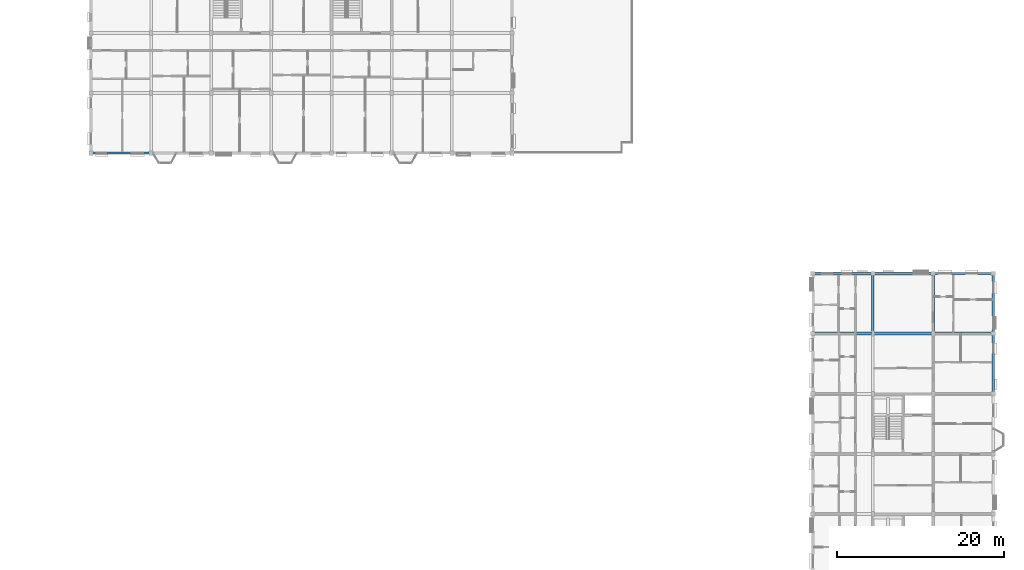
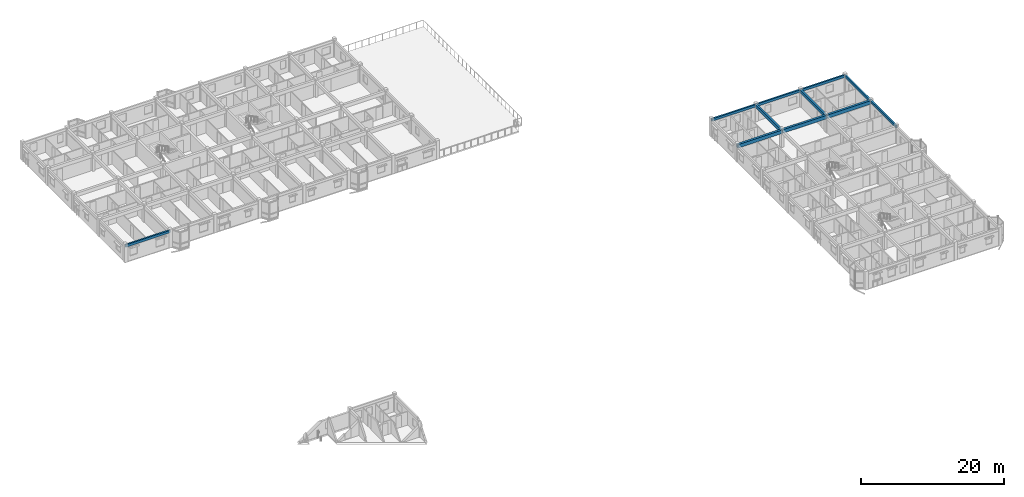
# One storey, part 21 of 64: 11 beams.
"""IFC4 building model written with IfcOpenShell, lengths in metres."""

from ifc_helpers import new_model, si_unit, direction, frame, origin, origin_2d, place, context, subcontext, project, spatial, rectangle, extrude, material, material_profile, profile_set, type_object, element, save


model = new_model("IFC4")

# Units and contexts
model_context = context("Model", 3, precision=1e-05, world=origin(), true_north=direction((0.0, 1.0)))
body_context = subcontext(model_context, "Body", "Model", "MODEL_VIEW")
ifc_project = project(units=[si_unit("LENGTHUNIT", "METRE"), si_unit("AREAUNIT", "SQUARE_METRE"), si_unit("VOLUMEUNIT", "CUBIC_METRE"), si_unit("PLANEANGLEUNIT", "RADIAN"), si_unit("MASSUNIT", "GRAM", prefix="KILO"), si_unit("THERMODYNAMICTEMPERATUREUNIT", "KELVIN"), si_unit("POWERUNIT", "WATT")], contexts=[model_context])

# Site, building, storey
site_placement = place(None, origin())
site = spatial("IfcSite", under=ifc_project, at=site_placement, CompositionType="ELEMENT")
building_placement = place(site_placement, origin())
building = spatial("IfcBuilding", under=site, at=building_placement, Name="Tavuni Mirador Residences", CompositionType="ELEMENT")
storey_placement = place(building_placement, frame((0.0, 0.0, 26.550048828125)))
storey = spatial("IfcBuildingStorey", under=building, at=storey_placement, Name="L08", CompositionType="ELEMENT", Elevation=26.550048828125)

# Beams
ifc_material = material(Name="Precast concrete C40/50", Category="concrete")
ifc_material_profile_1 = material_profile(ifc_material, rectangle(XDim=0.300048828125, YDim=0.550048828125, at=origin_2d()), Name="PC 300x550", Category="concrete")
ifc_profile_set_1 = profile_set([ifc_material_profile_1], Name="Precast concrete C40/50")
beam_type_1 = type_object("IfcBeamType", Name="BT-B550", PredefinedType="BEAM", material=ifc_profile_set_1)
for number, where, z_axis, x_axis, name in (
    (1, (104.39990234375, 122.39990234375, 2.614990234375), (0.0, 1.0, 0.0), (-1.0, 0.0, 0.0), "BMY-BLK-D-L08-01-05"),
    (2, (111.60009765625, 122.39990234375, 2.614990234375), (0.0, 1.0, 0.0), (-1.0, 0.0, 0.0), "BMY-BLK-D-L08-02-05"),
):
    element("IfcBeam", number, at=place(storey_placement, frame(where, z_axis=z_axis, x_axis=x_axis)), inside=storey, type_object=beam_type_1, Name=name, PredefinedType="BEAM", context=body_context, shape_type="SweptSolid", body=[
        extrude(rectangle(XDim=0.300048828125, YDim=0.550048828125, at=origin_2d()), origin(), (0.0, 0.0, 1.0), 7.2001953125),
    ])
ifc_material_profile_2 = material_profile(ifc_material, rectangle(XDim=0.35009765625, YDim=0.60009765625, at=origin_2d()), Name="PC 350x600", Category="concrete")
ifc_profile_set_2 = profile_set([ifc_material_profile_2], Name="Precast concrete C40/50")
beam_type_2 = type_object("IfcBeamType", Name="BT-B600", PredefinedType="BEAM", material=ifc_profile_set_2)
beam_1_placement = place(storey_placement, frame((97.199951171875, 122.39990234375, 2.58984375), z_axis=(1.0, 0.0, 0.0), x_axis=(0.0, 1.0, 0.0)))
element("IfcBeam", 3, at=beam_1_placement, inside=storey, type_object=beam_type_2, Name="BMX-BLK-D-L08-00-05", PredefinedType="BEAM", context=body_context, shape_type="SweptSolid", body=[
    extrude(rectangle(XDim=0.35009765625, YDim=0.60009765625, at=origin_2d()), origin(), (0.0, 0.0, 1.0), 7.199951171875),
])
beam_2_placement = place(storey_placement, frame((104.39990234375, 122.39990234375, 2.58984375), z_axis=(1.0, 0.0, 0.0), x_axis=(0.0, 1.0, 0.0)))
element("IfcBeam", 4, at=beam_2_placement, inside=storey, type_object=beam_type_2, Name="BMX-BLK-D-L08-01-05", PredefinedType="BEAM", context=body_context, shape_type="SweptSolid", body=[
    extrude(rectangle(XDim=0.35009765625, YDim=0.60009765625, at=origin_2d()), origin(), (0.0, 0.0, 1.0), 7.2001953125),
])
beam_3_placement = place(storey_placement, frame((111.60009765625, 122.39990234375, 2.58984375), z_axis=(1.0, 0.0, 0.0), x_axis=(0.0, 1.0, 0.0)))
element("IfcBeam", 5, at=beam_3_placement, inside=storey, type_object=beam_type_2, Name="BMX-BLK-D-L08-02-05", PredefinedType="BEAM", context=body_context, shape_type="SweptSolid", body=[
    extrude(rectangle(XDim=0.35009765625, YDim=0.60009765625, at=origin_2d()), origin(), (0.0, 0.0, 1.0), 7.199951171875),
])
ifc_material_profile_3 = material_profile(ifc_material, rectangle(XDim=0.25, YDim=0.419921875, at=origin_2d()), Name="PC 250x420", Category="concrete")
ifc_profile_set_3 = profile_set([ifc_material_profile_3], Name="Precast concrete C40/50")
beam_type_3 = type_object("IfcBeamType", Name="BT-SP420", PredefinedType="SPANDREL", material=ifc_profile_set_3)
for number, where, z_axis, x_axis, name in (
    (6, (10.800048828125, 144.0, 2.675048828125), (1.0, 0.0, 0.0), (0.0, 1.0, 0.0), "BMX-BLK-C-L08-00-00"),
    (7, (97.199951171875, 129.60009765625, 2.679931640625), (1.0, 0.0, 0.0), (0.0, 1.0, 0.0), "BMX-BLK-D-L08-00-06"),
):
    element("IfcBeam", number, at=place(storey_placement, frame(where, z_axis=z_axis, x_axis=x_axis)), inside=storey, type_object=beam_type_3, Name=name, PredefinedType="SPANDREL", context=body_context, shape_type="SweptSolid", body=[
        extrude(rectangle(XDim=0.25, YDim=0.419921875, at=origin_2d()), origin(), (0.0, 0.0, 1.0), 7.199951171875),
    ])
beam_4_placement = place(storey_placement, frame((104.39990234375, 129.60009765625, 2.679931640625), z_axis=(1.0, 0.0, 0.0), x_axis=(0.0, 1.0, 0.0)))
element("IfcBeam", 8, at=beam_4_placement, inside=storey, type_object=beam_type_3, Name="BMX-BLK-D-L08-01-06", PredefinedType="SPANDREL", context=body_context, shape_type="SweptSolid", body=[
    extrude(rectangle(XDim=0.25, YDim=0.419921875, at=origin_2d()), origin(), (0.0, 0.0, 1.0), 7.2001953125),
])
for number, where, z_axis, x_axis, name in (
    (9, (111.60009765625, 129.60009765625, 2.679931640625), (1.0, 0.0, 0.0), (0.0, 1.0, 0.0), "BMX-BLK-D-L08-02-06"),
    (10, (118.800048828125, 115.199951171875, 2.679931640625), (0.0, 1.0, 0.0), (-1.0, 0.0, 0.0), "BMY-BLK-D-L08-03-04"),
):
    element("IfcBeam", number, at=place(storey_placement, frame(where, z_axis=z_axis, x_axis=x_axis)), inside=storey, type_object=beam_type_3, Name=name, PredefinedType="SPANDREL", context=body_context, shape_type="SweptSolid", body=[
        extrude(rectangle(XDim=0.25, YDim=0.419921875, at=origin_2d()), origin(), (0.0, 0.0, 1.0), 7.199951171875),
    ])
beam_5_placement = place(storey_placement, frame((118.800048828125, 122.39990234375, 2.679931640625), z_axis=(0.0, 1.0, 0.0), x_axis=(-1.0, 0.0, 0.0)))
element("IfcBeam", 11, at=beam_5_placement, inside=storey, type_object=beam_type_3, Name="BMY-BLK-D-L08-03-05", PredefinedType="SPANDREL", context=body_context, shape_type="SweptSolid", body=[
    extrude(rectangle(XDim=0.25, YDim=0.419921875, at=origin_2d()), origin(), (0.0, 0.0, 1.0), 7.2001953125),
])

save(model, "model.ifc")
